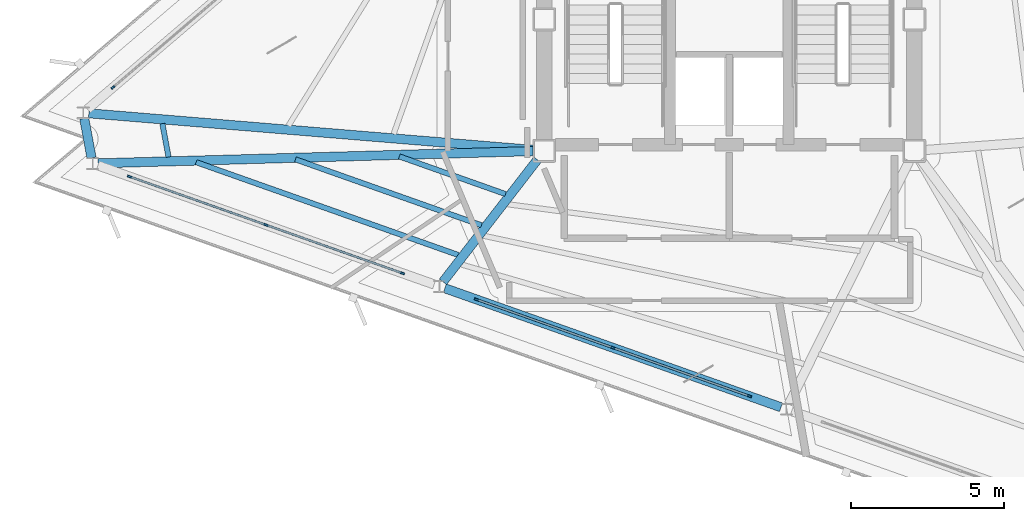
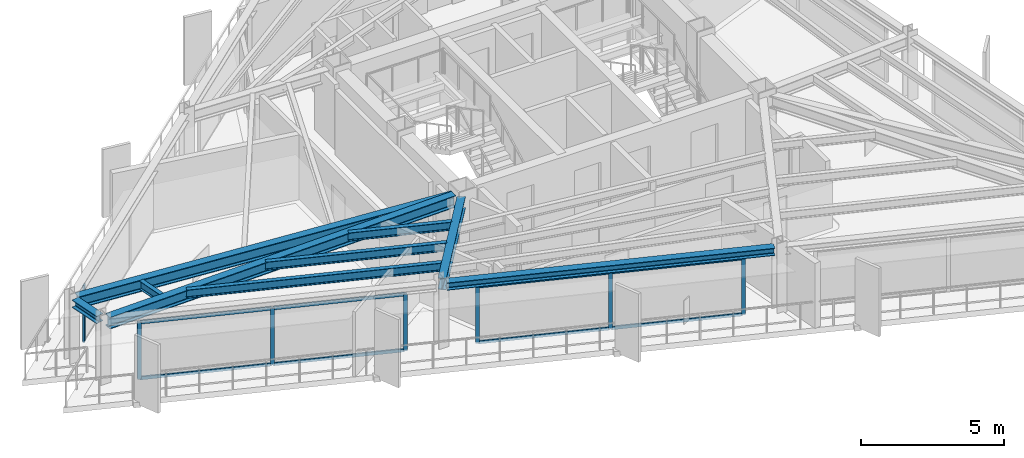
# One storey, part 2 of 14: 15 members, 9 beams, 3 elements without a shape of their own.
"""IFC4 building model written with IfcOpenShell, lengths in metres."""

from ifc_helpers import new_model, si_unit, direction, frame, origin, origin_2d, place, context, subcontext, project, spatial, rectangle, i_section, extrude, material, layer, layer_set, material_profile, profile_set, type_object, element, aggregate, save


model = new_model("IFC4")

# Units and contexts
model_context = context("Model", 3, precision=1e-05, world=origin(), true_north=direction((0.0, 1.0)))
body_context = subcontext(model_context, "Body", "Model", "MODEL_VIEW")
ifc_project = project(units=[si_unit("LENGTHUNIT", "METRE"), si_unit("AREAUNIT", "SQUARE_METRE"), si_unit("VOLUMEUNIT", "CUBIC_METRE"), si_unit("PLANEANGLEUNIT", "RADIAN"), si_unit("MASSUNIT", "GRAM", prefix="KILO")], contexts=[model_context])

# Site, building, storey
site_placement = place(None, origin())
site = spatial("IfcSite", under=ifc_project, at=site_placement, CompositionType="ELEMENT")
building_placement = place(site_placement, origin())
building = spatial("IfcBuilding", under=site, at=building_placement, Name="Rocaltana Carrier Exchange", CompositionType="ELEMENT")
storey_placement = place(building_placement, frame((0.0, 0.0, 184.47998046875)))
storey = spatial("IfcBuildingStorey", under=building, at=storey_placement, Name="L58", CompositionType="ELEMENT", Elevation=184.47998046875)

# Curtain wall, member
ifc_material_1 = material(Name="Aluminium 6063-T6", Category="aluminium")
ifc_layer = layer(ifc_material_1, 0.135009765625)
ifc_layer_set = layer_set([ifc_layer], Name="Aluminium 6063-T6")
curtain_wall_type = type_object("IfcCurtainWallType", Name="Upper-Mid Acoustic Curtain Wall CW-04", PredefinedType="NOTDEFINED", material=ifc_layer_set)
curtain_wall_1_placement = place(storey_placement, origin())
curtain_wall_1 = element("IfcCurtainWall", 1, at=curtain_wall_1_placement, inside=storey, type_object=curtain_wall_type, Name="L58 CW-04 Run CW-L58-F2S3", PredefinedType="NOTDEFINED")
ifc_material_2 = material(Name="Aluminium 6063-T6", Category="aluminium")
ifc_material_profile_1 = material_profile(ifc_material_2, rectangle(XDim=0.06494140625, YDim=0.135009765625, at=origin_2d()), Name="AL-65X135")
ifc_profile_set_1 = profile_set([ifc_material_profile_1], Name="Aluminium 6063-T6")
member_type_1 = type_object("IfcMemberType", Name="CW-04 Mullion AL-65X135", PredefinedType="MULLION", material=ifc_profile_set_1)
member_1_placement = place(storey_placement, frame((-20.14990234375, -2.2255859375, 0.0), z_axis=(0.0, 0.0, 1.0), x_axis=(0.649447944918, -0.760406053922, 0.0)))
member_1 = element("IfcMember", 2, at=member_1_placement, type_object=member_type_1, Name="CW-04 mullion 3", PredefinedType="MULLION", context=body_context, shape_type="SweptSolid", body=[
    extrude(rectangle(XDim=0.06494140625, YDim=0.135009765625, at=origin_2d()), origin(), (0.0, 0.0, 1.0), 2.447998046875),
])
aggregate(curtain_wall_1, [member_1])

# Curtain wall, members
curtain_wall_2_placement = place(storey_placement, origin())
curtain_wall_2 = element("IfcCurtainWall", 3, at=curtain_wall_2_placement, inside=storey, type_object=curtain_wall_type, Name="L58 CW-04 Run CW-L58-F3S1", PredefinedType="NOTDEFINED")
member_2_placement = place(storey_placement, frame((-19.609130859375, -5.143310546875, 0.0), z_axis=(0.0, 0.0, 1.0), x_axis=(0.333795491383, 0.942645516582, 0.0)))
member_2 = element("IfcMember", 4, at=member_2_placement, type_object=member_type_1, Name="CW-04 mullion 1", PredefinedType="MULLION", context=body_context, shape_type="SweptSolid", body=[
    extrude(rectangle(XDim=0.06494140625, YDim=0.135009765625, at=origin_2d()), origin(), (0.0, 0.0, 1.0), 2.447998046875),
])
member_3_placement = place(storey_placement, frame((-15.146484375, -6.7236328125, 0.0), z_axis=(0.0, 0.0, 1.0), x_axis=(0.333795491383, 0.942645516582, 0.0)))
member_3 = element("IfcMember", 5, at=member_3_placement, type_object=member_type_1, Name="CW-04 mullion 2", PredefinedType="MULLION", context=body_context, shape_type="SweptSolid", body=[
    extrude(rectangle(XDim=0.06494140625, YDim=0.135009765625, at=origin_2d()), origin(), (0.0, 0.0, 1.0), 2.447998046875),
])
member_4_placement = place(storey_placement, frame((-10.683837890625, -8.303955078125, 0.0), z_axis=(0.0, 0.0, 1.0), x_axis=(0.333795491383, 0.942645516582, 0.0)))
member_4 = element("IfcMember", 6, at=member_4_placement, type_object=member_type_1, Name="CW-04 mullion 3", PredefinedType="MULLION", context=body_context, shape_type="SweptSolid", body=[
    extrude(rectangle(XDim=0.06494140625, YDim=0.135009765625, at=origin_2d()), origin(), (0.0, 0.0, 1.0), 2.447998046875),
])

curtain_wall_3_placement = place(storey_placement, origin())
curtain_wall_3 = element("IfcCurtainWall", 7, at=curtain_wall_3_placement, inside=storey, type_object=curtain_wall_type, Name="L58 CW-04 Run CW-L58-F3S2", PredefinedType="NOTDEFINED")
member_5_placement = place(storey_placement, frame((-8.265869140625, -9.16015625, 0.0), z_axis=(0.0, 0.0, 1.0), x_axis=(0.333798791936, 0.942644347833, 0.0)))
member_5 = element("IfcMember", 8, at=member_5_placement, type_object=member_type_1, Name="CW-04 mullion 1", PredefinedType="MULLION", context=body_context, shape_type="SweptSolid", body=[
    extrude(rectangle(XDim=0.06494140625, YDim=0.135009765625, at=origin_2d()), origin(), (0.0, 0.0, 1.0), 2.447998046875),
])
member_6_placement = place(storey_placement, frame((-3.803466796875, -10.740478515625, 0.0), z_axis=(0.0, 0.0, 1.0), x_axis=(0.333798791936, 0.942644347833, 0.0)))
member_6 = element("IfcMember", 9, at=member_6_placement, type_object=member_type_1, Name="CW-04 mullion 2", PredefinedType="MULLION", context=body_context, shape_type="SweptSolid", body=[
    extrude(rectangle(XDim=0.06494140625, YDim=0.135009765625, at=origin_2d()), origin(), (0.0, 0.0, 1.0), 2.447998046875),
])
member_7_placement = place(storey_placement, frame((0.6591796875, -12.320556640625, 0.0), z_axis=(0.0, 0.0, 1.0), x_axis=(0.333798791936, 0.942644347833, 0.0)))
member_7 = element("IfcMember", 10, at=member_7_placement, type_object=member_type_1, Name="CW-04 mullion 3", PredefinedType="MULLION", context=body_context, shape_type="SweptSolid", body=[
    extrude(rectangle(XDim=0.06494140625, YDim=0.135009765625, at=origin_2d()), origin(), (0.0, 0.0, 1.0), 2.447998046875),
])

# Member
ifc_material_3 = material(Name="Aluminium 6063-T6", Category="aluminium")
ifc_material_profile_2 = material_profile(ifc_material_3, rectangle(XDim=0.06494140625, YDim=0.135009765625, at=origin_2d()), Name="AL-65X135")
ifc_profile_set_2 = profile_set([ifc_material_profile_2], Name="Aluminium 6063-T6")
member_type_2 = type_object("IfcMemberType", Name="CW-04 Transom AL-65X135", PredefinedType="USERDEFINED", material=ifc_profile_set_2)
member_8_placement = place(storey_placement, frame((-19.57861328125, -5.154296875, 0.032470703125), z_axis=(0.942658759466, -0.333758090841, 0.0), x_axis=(0.333758090841, 0.942658759466, 0.0)))
member_8 = element("IfcMember", 11, at=member_8_placement, type_object=member_type_2, Name="CW-04 transom 1.1", ObjectType="TRANSOM", PredefinedType="USERDEFINED", context=body_context, shape_type="SweptSolid", body=[
    extrude(rectangle(XDim=0.06494140625, YDim=0.135009765625, at=origin_2d()), origin(), (0.0, 0.0, 1.0), 4.669189453125),
])

member_9_placement = place(storey_placement, frame((-19.57861328125, -5.154296875, 2.41552734375), z_axis=(0.942658759466, -0.333758090841, 0.0), x_axis=(0.333758090841, 0.942658759466, 0.0)))
member_9 = element("IfcMember", 12, at=member_9_placement, type_object=member_type_2, Name="CW-04 transom 1.2", ObjectType="TRANSOM", PredefinedType="USERDEFINED", context=body_context, shape_type="SweptSolid", body=[
    extrude(rectangle(XDim=0.06494140625, YDim=0.135009765625, at=origin_2d()), origin(), (0.0, 0.0, 1.0), 4.669189453125),
])

member_10_placement = place(storey_placement, frame((-15.115966796875, -6.734375, 0.032470703125), z_axis=(0.942648133321, -0.333788101565, 0.0), x_axis=(0.333788101565, 0.942648133321, 0.0)))
member_10 = element("IfcMember", 13, at=member_10_placement, type_object=member_type_2, Name="CW-04 transom 2.1", ObjectType="TRANSOM", PredefinedType="USERDEFINED", context=body_context, shape_type="SweptSolid", body=[
    extrude(rectangle(XDim=0.06494140625, YDim=0.135009765625, at=origin_2d()), origin(), (0.0, 0.0, 1.0), 4.66943359375),
])

member_11_placement = place(storey_placement, frame((-15.115966796875, -6.734375, 2.41552734375), z_axis=(0.942648133321, -0.333788101565, 0.0), x_axis=(0.333788101565, 0.942648133321, 0.0)))
member_11 = element("IfcMember", 14, at=member_11_placement, type_object=member_type_2, Name="CW-04 transom 2.2", ObjectType="TRANSOM", PredefinedType="USERDEFINED", context=body_context, shape_type="SweptSolid", body=[
    extrude(rectangle(XDim=0.06494140625, YDim=0.135009765625, at=origin_2d()), origin(), (0.0, 0.0, 1.0), 4.66943359375),
])

aggregate(curtain_wall_2, [member_2, member_3, member_4, member_8, member_9, member_10, member_11])

member_12_placement = place(storey_placement, frame((-8.2353515625, -9.1708984375, 0.032470703125), z_axis=(0.942642307572, -0.333804553558, 0.0), x_axis=(0.333804553558, 0.942642307572, 0.0)))
member_12 = element("IfcMember", 15, at=member_12_placement, type_object=member_type_2, Name="CW-04 transom 1.1", ObjectType="TRANSOM", PredefinedType="USERDEFINED", context=body_context, shape_type="SweptSolid", body=[
    extrude(rectangle(XDim=0.06494140625, YDim=0.135009765625, at=origin_2d()), origin(), (0.0, 0.0, 1.0), 4.669189453125),
])

member_13_placement = place(storey_placement, frame((-8.2353515625, -9.1708984375, 2.41552734375), z_axis=(0.942642307572, -0.333804553558, 0.0), x_axis=(0.333804553558, 0.942642307572, 0.0)))
member_13 = element("IfcMember", 16, at=member_13_placement, type_object=member_type_2, Name="CW-04 transom 1.2", ObjectType="TRANSOM", PredefinedType="USERDEFINED", context=body_context, shape_type="SweptSolid", body=[
    extrude(rectangle(XDim=0.06494140625, YDim=0.135009765625, at=origin_2d()), origin(), (0.0, 0.0, 1.0), 4.669189453125),
])

member_14_placement = place(storey_placement, frame((-3.772705078125, -10.751220703125, 0.032470703125), z_axis=(0.942642307572, -0.333804553558, 0.0), x_axis=(0.333804553558, 0.942642307572, 0.0)))
member_14 = element("IfcMember", 17, at=member_14_placement, type_object=member_type_2, Name="CW-04 transom 2.1", ObjectType="TRANSOM", PredefinedType="USERDEFINED", context=body_context, shape_type="SweptSolid", body=[
    extrude(rectangle(XDim=0.06494140625, YDim=0.135009765625, at=origin_2d()), origin(), (0.0, 0.0, 1.0), 4.669189453125),
])

member_15_placement = place(storey_placement, frame((-3.772705078125, -10.751220703125, 2.41552734375), z_axis=(0.942642307572, -0.333804553558, 0.0), x_axis=(0.333804553558, 0.942642307572, 0.0)))
member_15 = element("IfcMember", 18, at=member_15_placement, type_object=member_type_2, Name="CW-04 transom 2.2", ObjectType="TRANSOM", PredefinedType="USERDEFINED", context=body_context, shape_type="SweptSolid", body=[
    extrude(rectangle(XDim=0.06494140625, YDim=0.135009765625, at=origin_2d()), origin(), (0.0, 0.0, 1.0), 4.669189453125),
])

aggregate(curtain_wall_3, [member_5, member_6, member_7, member_12, member_13, member_14, member_15])

# Beams
ifc_material_4 = material(Name="Steel S355", Category="steel")
ifc_material_profile_3 = material_profile(ifc_material_4, i_section(OverallWidth=0.172119140625, OverallDepth=0.35791015625, WebThickness=0.0078125, FlangeThickness=0.01318359375, FilletRadius=0.011962890625, at=origin_2d()), Name="W14X38")
ifc_profile_set_3 = profile_set([ifc_material_profile_3], Name="Steel S355")
beam_type_1 = type_object("IfcBeamType", Name="Floor Joist W14X38", PredefinedType="JOIST", material=ifc_profile_set_3)
beam_1_placement = place(storey_placement, frame((-18.5361328125, -3.4111328125, 2.619140625), z_axis=(0.182270341783, -0.983248454108, 0.0), x_axis=(0.983248454108, 0.182270341783, 0.0)))
element("IfcBeam", 19, at=beam_1_placement, inside=storey, type_object=beam_type_1, Name="FJ-L58-08-3", PredefinedType="JOIST", context=body_context, shape_type="SweptSolid", body=[
    extrude(i_section(OverallWidth=0.172119140625, OverallDepth=0.35791015625, WebThickness=0.0078125, FlangeThickness=0.01318359375, FilletRadius=0.011962890625, at=origin_2d()), origin(), (0.0, 0.0, 1.0), 1.1103515625),
])
beam_2_placement = place(storey_placement, frame((-10.78759765625, -4.485107421875, 2.619140625), z_axis=(0.94263244024, -0.333832416951, 0.0), x_axis=(0.333832416951, 0.94263244024, 0.0)))
element("IfcBeam", 20, at=beam_2_placement, inside=storey, type_object=beam_type_1, Name="FJ-L58-09-1", PredefinedType="JOIST", context=body_context, shape_type="SweptSolid", body=[
    extrude(i_section(OverallWidth=0.172119140625, OverallDepth=0.35791015625, WebThickness=0.0078125, FlangeThickness=0.01318359375, FilletRadius=0.011962890625, at=origin_2d()), origin(), (0.0, 0.0, 1.0), 3.682861328125),
])
beam_3_placement = place(storey_placement, frame((-14.184326171875, -4.58056640625, 2.619140625), z_axis=(0.942637646352, -0.333817716246, 0.0), x_axis=(0.333817716246, 0.942637646352, 0.0)))
element("IfcBeam", 21, at=beam_3_placement, inside=storey, type_object=beam_type_1, Name="FJ-L58-09-2", PredefinedType="JOIST", context=body_context, shape_type="SweptSolid", body=[
    extrude(i_section(OverallWidth=0.172119140625, OverallDepth=0.35791015625, WebThickness=0.0078125, FlangeThickness=0.01318359375, FilletRadius=0.011962890625, at=origin_2d()), origin(), (0.0, 0.0, 1.0), 6.45068359375),
])
beam_4_placement = place(storey_placement, frame((-17.433349609375, -4.671875, 2.619140625), z_axis=(0.942637076776, -0.333819324616, 0.0), x_axis=(0.333819324616, 0.942637076776, 0.0)))
element("IfcBeam", 22, at=beam_4_placement, inside=storey, type_object=beam_type_1, Name="FJ-L58-09-3", PredefinedType="JOIST", context=body_context, shape_type="SweptSolid", body=[
    extrude(i_section(OverallWidth=0.172119140625, OverallDepth=0.35791015625, WebThickness=0.0078125, FlangeThickness=0.01318359375, FilletRadius=0.011962890625, at=origin_2d()), origin(), (0.0, 0.0, 1.0), 9.09814453125),
])
ifc_material_5 = material(Name="Steel S355", Category="steel")
ifc_material_profile_4 = material_profile(ifc_material_5, i_section(OverallWidth=0.300048828125, OverallDepth=0.320068359375, WebThickness=0.011474609375, FlangeThickness=0.0205078125, FilletRadius=0.027099609375, at=origin_2d()), Name="HEB320")
ifc_profile_set_4 = profile_set([ifc_material_profile_4], Name="Steel S355")
beam_type_2 = type_object("IfcBeamType", Name="Spandrel Edge Beam HEB320", PredefinedType="SPANDREL", material=ifc_profile_set_4)
beam_5_placement = place(storey_placement, frame((-21.09130859375, -3.240966796875, 2.637939453125), z_axis=(0.182302199859, -0.983242547862, 0.0), x_axis=(0.983242547862, 0.182302199859, 0.0)))
element("IfcBeam", 23, at=beam_5_placement, inside=storey, type_object=beam_type_2, Name="SP-L58-08", PredefinedType="SPANDREL", context=body_context, shape_type="SweptSolid", body=[
    extrude(i_section(OverallWidth=0.300048828125, OverallDepth=0.320068359375, WebThickness=0.011474609375, FlangeThickness=0.0205078125, FilletRadius=0.027099609375, at=origin_2d()), origin(), (0.0, 0.0, 1.0), 1.313720703125),
])
beam_6_placement = place(storey_placement, frame((-9.300048828125, -8.7939453125, 2.637939453125), z_axis=(0.942638890489, -0.333814203019, 0.0), x_axis=(0.333814203019, 0.942638890489, 0.0)))
element("IfcBeam", 24, at=beam_6_placement, inside=storey, type_object=beam_type_2, Name="SP-L58-10", PredefinedType="SPANDREL", context=body_context, shape_type="SweptSolid", body=[
    extrude(i_section(OverallWidth=0.300048828125, OverallDepth=0.320068359375, WebThickness=0.011474609375, FlangeThickness=0.0205078125, FilletRadius=0.027099609375, at=origin_2d()), origin(), (0.0, 0.0, 1.0), 11.662353515625),
])
ifc_material_6 = material(Name="Steel S355", Category="steel")
ifc_material_profile_5 = material_profile(ifc_material_6, i_section(OverallWidth=0.300048828125, OverallDepth=0.5, WebThickness=0.014404296875, FlangeThickness=0.028076171875, FilletRadius=0.027099609375, at=origin_2d()), Name="HEB500")
ifc_profile_set_5 = profile_set([ifc_material_profile_5], Name="Steel S355")
beam_type_3 = type_object("IfcBeamType", Name="Upper Radial Girder HEB500", PredefinedType="BEAM", material=ifc_profile_set_5)
beam_7_placement = place(storey_placement, frame((-6.415771484375, -4.27001953125, 2.548095703125), z_axis=(-0.99662524514, 0.082086056969, 0.0), x_axis=(-0.082086056969, -0.99662524514, 0.0)))
element("IfcBeam", 25, at=beam_7_placement, inside=storey, type_object=beam_type_3, Name="RG-L58-08", PredefinedType="BEAM", context=body_context, shape_type="SweptSolid", body=[
    extrude(i_section(OverallWidth=0.300048828125, OverallDepth=0.5, WebThickness=0.014404296875, FlangeThickness=0.028076171875, FilletRadius=0.027099609375, at=origin_2d()), origin(), (0.0, 0.0, 1.0), 14.573486328125),
])
beam_8_placement = place(storey_placement, frame((-6.4169921875, -4.310302734375, 2.548095703125), z_axis=(-0.999605046226, -0.028102518731, 0.0), x_axis=(0.028102518731, -0.999605046226, 0.0)))
element("IfcBeam", 26, at=beam_8_placement, inside=storey, type_object=beam_type_3, Name="RG-L58-09", PredefinedType="BEAM", context=body_context, shape_type="SweptSolid", body=[
    extrude(i_section(OverallWidth=0.300048828125, OverallDepth=0.5, WebThickness=0.014404296875, FlangeThickness=0.028076171875, FilletRadius=0.027099609375, at=origin_2d()), origin(), (0.0, 0.0, 1.0), 14.221435546875),
])
beam_9_placement = place(storey_placement, frame((-6.2744140625, -4.59033203125, 2.548095703125), z_axis=(-0.611473649779, -0.791264794886, 0.0), x_axis=(0.791264794886, -0.611473649779, 0.0)))
element("IfcBeam", 27, at=beam_9_placement, inside=storey, type_object=beam_type_3, Name="RG-L58-10", PredefinedType="BEAM", context=body_context, shape_type="SweptSolid", body=[
    extrude(i_section(OverallWidth=0.300048828125, OverallDepth=0.5, WebThickness=0.014404296875, FlangeThickness=0.028076171875, FilletRadius=0.027099609375, at=origin_2d()), origin(), (0.0, 0.0, 1.0), 5.048828125),
])

save(model, "model.ifc")
